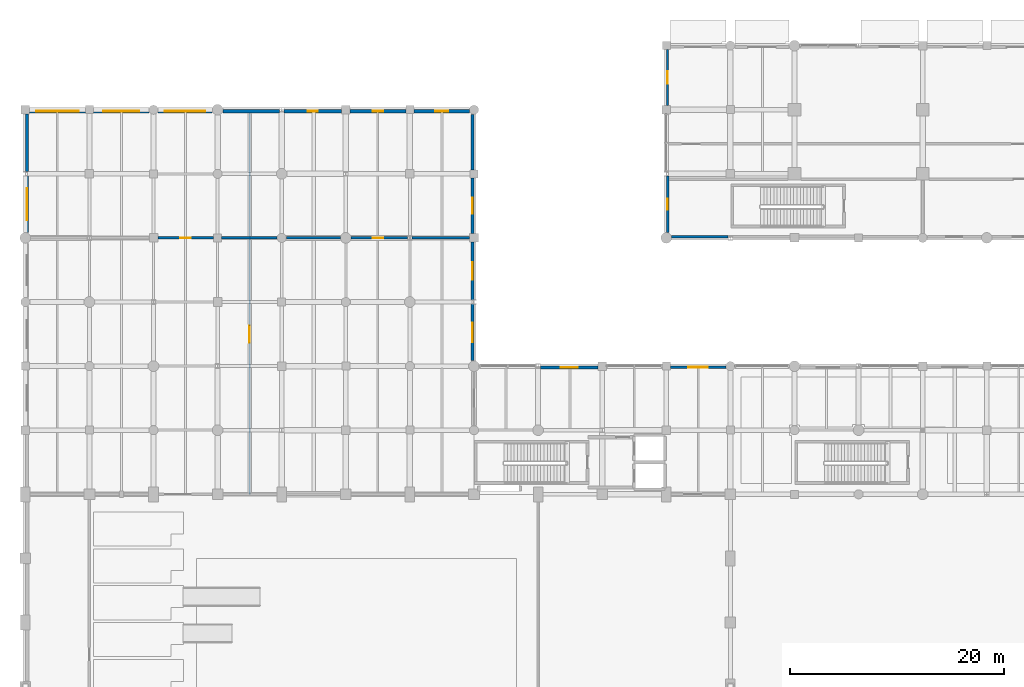
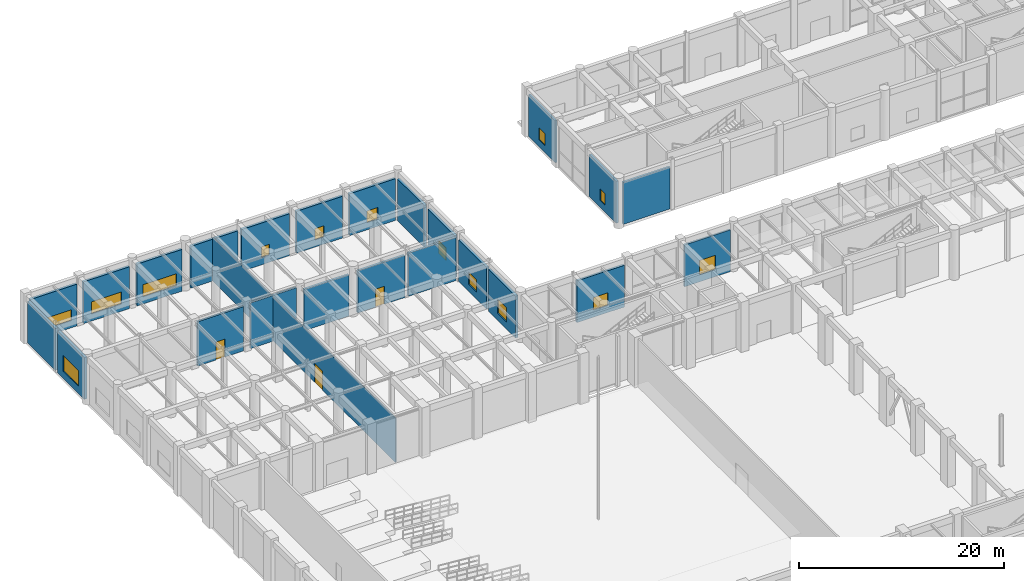
# One storey, part 82 of 106: 24 walls, 14 windows, 3 doors, 17 openings.
"""IFC4 building model written with IfcOpenShell, lengths in metres."""

from ifc_helpers import new_model, si_unit, direction, frame, frame_2d, origin, place, context, subcontext, project, spatial, rectangle, extrude, material, layer, layer_set, type_object, element, fill, save


model = new_model("IFC4")

# Units and contexts
model_context = context("Model", 3, precision=1e-05, world=origin(), true_north=direction((0.0, 1.0)))
body_context = subcontext(model_context, "Body", "Model", "MODEL_VIEW")
ifc_project = project(units=[si_unit("LENGTHUNIT", "METRE"), si_unit("AREAUNIT", "SQUARE_METRE"), si_unit("VOLUMEUNIT", "CUBIC_METRE"), si_unit("PLANEANGLEUNIT", "RADIAN"), si_unit("MASSUNIT", "GRAM", prefix="KILO"), si_unit("THERMODYNAMICTEMPERATUREUNIT", "KELVIN"), si_unit("POWERUNIT", "WATT")], contexts=[model_context])

# Site, building, storey
site_placement = place(None, origin())
site = spatial("IfcSite", under=ifc_project, at=site_placement, CompositionType="ELEMENT")
building_placement = place(site_placement, origin())
building = spatial("IfcBuilding", under=site, at=building_placement, Name="Phaisarnlok Congress Hotel", CompositionType="ELEMENT")
storey_placement = place(building_placement, origin())
storey = spatial("IfcBuildingStorey", under=building, at=storey_placement, Name="L00", CompositionType="ELEMENT", Elevation=0.0)

# Wall, opening, window
ifc_material_1 = material(Name="Concrete C40/50", Category="concrete")
ifc_layer_1 = layer(ifc_material_1, 0.2099609375, Name="Concrete C40/50")
ifc_layer_set_1 = layer_set([ifc_layer_1], Name="Concrete C40/50")
wall_type_1 = type_object("IfcWallType", Name="WL-EXT-210", PredefinedType="SOLIDWALL", material=ifc_layer_set_1)
wall_1_placement = place(storey_placement, frame((60.10498046875, 125.6201171875, 0.0), z_axis=(0.0, 0.0, 1.0), x_axis=(0.0, -1.0, 0.0)))
wall_1 = element("IfcWall", 1, at=wall_1_placement, inside=storey, type_object=wall_type_1, Name="Exterior wall EW-07 (L00)", PredefinedType="SOLIDWALL", context=body_context, shape_type="SweptSolid", body=[
    extrude(rectangle(XDim=5.215087890625, YDim=0.2099609375, at=frame_2d((2.607421875, 0.0))), origin(), (0.0, 0.0, 1.0), 5.010009765625),
])
opening_1_placement = place(wall_1_placement, frame((2.008056640625, 0.0, 0.85009765625)))
opening_1 = element("IfcOpeningElement", 2, at=opening_1_placement, cuts=wall_1, Name="Opening W-14", PredefinedType="OPENING", context=body_context, shape_type="SweptSolid", body=[
    extrude(rectangle(XDim=1.199951171875, YDim=1.39990234375, at=frame_2d((0.60009765625, 0.699951171875))), frame((0.0, 0.114990234375, 0.0), z_axis=(0.0, -1.0, 0.0), x_axis=(1.0, 0.0, 0.0)), (0.0, 0.0, 1.0), 0.22998046875),
])
ifc_material_2 = material(Name="Thermally Broken Aluminium & Low-E Double Glazing", Category="aluminium")
window_type_1 = type_object("IfcWindowType", Name="WIN-POD-1200", PartitioningType="SINGLE_PANEL", PredefinedType="WINDOW", material=ifc_material_2)
window_1_placement = place(opening_1_placement, origin())
window_1 = element("IfcWindow", 3, at=window_1_placement, inside=storey, type_object=window_type_1, Name="Podium window W-14 (L00)", OverallHeight=1.39990234375, OverallWidth=1.199951171875, PartitioningType="SINGLE_PANEL", PredefinedType="WINDOW", context=body_context, shape_type="SweptSolid", body=[
    extrude(rectangle(XDim=1.199951171875, YDim=1.39990234375, at=frame_2d((0.60009765625, 0.699951171875))), frame((0.0, 0.030029296875, 0.0), z_axis=(0.0, -1.0, 0.0), x_axis=(1.0, 0.0, 0.0)), (0.0, 0.0, 1.0), 0.06005859375),
])
fill(opening_1, window_1)

wall_2_placement = place(storey_placement, frame((65.570068359375, 95.89501953125, 0.0), z_axis=(0.0, 0.0, 1.0), x_axis=(-1.0, 0.0, 0.0)))
wall_2 = element("IfcWall", 4, at=wall_2_placement, inside=storey, type_object=wall_type_1, Name="Exterior wall EW-07 (L00)", PredefinedType="SOLIDWALL", context=body_context, shape_type="SweptSolid", body=[
    extrude(rectangle(XDim=5.190185546875, YDim=0.2099609375, at=frame_2d((2.59521484375, 0.0))), origin(), (0.0, 0.0, 1.0), 4.989990234375),
])
opening_2_placement = place(wall_2_placement, frame((1.695068359375, 0.0, 0.85009765625)))
opening_2 = element("IfcOpeningElement", 5, at=opening_2_placement, cuts=wall_2, Name="Opening W-10", PredefinedType="OPENING", context=body_context, shape_type="SweptSolid", body=[
    extrude(rectangle(XDim=1.800048828125, YDim=1.699951171875, at=frame_2d((0.89990234375, 0.85009765625))), frame((0.0, 0.114990234375, 0.0), z_axis=(0.0, -1.0, 0.0), x_axis=(1.0, 0.0, 0.0)), (0.0, 0.0, 1.0), 0.22998046875),
])
window_type_2 = type_object("IfcWindowType", Name="WIN-POD-1800", PartitioningType="SINGLE_PANEL", PredefinedType="WINDOW", material=ifc_material_2)
window_2_placement = place(opening_2_placement, origin())
window_2 = element("IfcWindow", 6, at=window_2_placement, inside=storey, type_object=window_type_2, Name="Podium window W-10 (L00)", OverallHeight=1.699951171875, OverallWidth=1.800048828125, PartitioningType="SINGLE_PANEL", PredefinedType="WINDOW", context=body_context, shape_type="SweptSolid", body=[
    extrude(rectangle(XDim=1.800048828125, YDim=1.699951171875, at=frame_2d((0.89990234375, 0.85009765625))), frame((0.0, 0.030029296875, 0.0), z_axis=(0.0, -1.0, 0.0), x_axis=(1.0, 0.0, 0.0)), (0.0, 0.0, 1.0), 0.06005859375),
])
fill(opening_2, window_2)

# Wall
ifc_layer_2 = layer(ifc_material_1, 0.22998046875, Name="Concrete C40/50")
ifc_layer_set_2 = layer_set([ifc_layer_2], Name="Concrete C40/50")
wall_type_2 = type_object("IfcWallType", Name="WL-EXT-230", PredefinedType="SOLIDWALL", material=ifc_layer_set_2)
wall_3_placement = place(storey_placement, frame((60.5048828125, 108.114990234375, 0.0), z_axis=(0.0, 0.0, 1.0), x_axis=(1.0, 0.0, 0.0)))
element("IfcWall", 7, at=wall_3_placement, inside=storey, type_object=wall_type_2, Name="Exterior wall EW-06 (L00)", PredefinedType="SOLIDWALL", context=body_context, shape_type="SweptSolid", body=[
    extrude(rectangle(XDim=5.28955078125, YDim=0.22998046875, at=frame_2d((2.644775390625, 0.0))), origin(), (0.0, 0.0, 1.0), 5.010009765625),
])

# Wall, opening, window
ifc_layer_3 = layer(ifc_material_1, 0.25, Name="Concrete C40/50")
ifc_layer_set_3 = layer_set([ifc_layer_3], Name="Concrete C40/50")
wall_type_3 = type_object("IfcWallType", Name="WL-EXT-250", PredefinedType="SOLIDWALL", material=ifc_layer_set_3)
wall_4_placement = place(storey_placement, frame((60.125, 113.79541015625, 0.0), z_axis=(0.0, 0.0, 1.0), x_axis=(0.0, -1.0, 0.0)))
wall_4 = element("IfcWall", 8, at=wall_4_placement, inside=storey, type_object=wall_type_3, Name="Exterior wall EW-05 (L00)", PredefinedType="SOLIDWALL", context=body_context, shape_type="SweptSolid", body=[
    extrude(rectangle(XDim=5.29052734375, YDim=0.25, at=frame_2d((2.645263671875, 0.0))), origin(), (0.0, 0.0, 1.0), 5.010009765625),
])
opening_3_placement = place(wall_4_placement, frame((2.14501953125, 0.0, 0.85009765625)))
opening_3 = element("IfcOpeningElement", 9, at=opening_3_placement, cuts=wall_4, Name="Opening W-15", PredefinedType="OPENING", context=body_context, shape_type="SweptSolid", body=[
    extrude(rectangle(XDim=1.0, YDim=1.35009765625, at=frame_2d((0.5, 0.675048828125))), frame((0.0, 0.135009765625, 0.0), z_axis=(0.0, -1.0, 0.0), x_axis=(1.0, 0.0, 0.0)), (0.0, 0.0, 1.0), 0.27001953125),
])
window_type_3 = type_object("IfcWindowType", Name="WIN-POD-1000", PartitioningType="SINGLE_PANEL", PredefinedType="WINDOW", material=ifc_material_2)
window_3_placement = place(opening_3_placement, origin())
window_3 = element("IfcWindow", 10, at=window_3_placement, inside=storey, type_object=window_type_3, Name="Podium window W-15 (L00)", OverallHeight=1.35009765625, OverallWidth=1.0, PartitioningType="SINGLE_PANEL", PredefinedType="WINDOW", context=body_context, shape_type="SweptSolid", body=[
    extrude(rectangle(XDim=1.0, YDim=1.35009765625, at=frame_2d((0.5, 0.675048828125))), frame((0.0, 0.030029296875, 0.0), z_axis=(0.0, -1.0, 0.0), x_axis=(1.0, 0.0, 0.0)), (0.0, 0.0, 1.0), 0.06005859375),
])
fill(opening_3, window_3)

wall_5_placement = place(storey_placement, frame((53.594970703125, 95.875, 0.0), z_axis=(0.0, 0.0, 1.0), x_axis=(-1.0, 0.0, 0.0)))
wall_5 = element("IfcWall", 11, at=wall_5_placement, inside=storey, type_object=wall_type_3, Name="Exterior wall EW-05 (L00)", PredefinedType="SOLIDWALL", context=body_context, shape_type="SweptSolid", body=[
    extrude(rectangle(XDim=5.389404296875, YDim=0.25, at=frame_2d((2.69482421875, 0.0))), origin(), (0.0, 0.0, 1.0), 4.989990234375),
])
opening_4_placement = place(wall_5_placement, frame((1.89501953125, 0.0, 0.85009765625)))
opening_4 = element("IfcOpeningElement", 12, at=opening_4_placement, cuts=wall_5, Name="Opening W-11", PredefinedType="OPENING", context=body_context, shape_type="SweptSolid", body=[
    extrude(rectangle(XDim=1.60009765625, YDim=1.5, at=frame_2d((0.800048828125, 0.75))), frame((0.0, 0.135009765625, 0.0), z_axis=(0.0, -1.0, 0.0), x_axis=(1.0, 0.0, 0.0)), (0.0, 0.0, 1.0), 0.27001953125),
])
window_type_4 = type_object("IfcWindowType", Name="WIN-POD-1600", PartitioningType="SINGLE_PANEL", PredefinedType="WINDOW", material=ifc_material_2)
window_4_placement = place(opening_4_placement, origin())
window_4 = element("IfcWindow", 13, at=window_4_placement, inside=storey, type_object=window_type_4, Name="Podium window W-11 (L00)", OverallHeight=1.5, OverallWidth=1.60009765625, PartitioningType="SINGLE_PANEL", PredefinedType="WINDOW", context=body_context, shape_type="SweptSolid", body=[
    extrude(rectangle(XDim=1.60009765625, YDim=1.5, at=frame_2d((0.800048828125, 0.75))), frame((0.0, 0.030029296875, 0.0), z_axis=(0.0, -1.0, 0.0), x_axis=(1.0, 0.0, 0.0)), (0.0, 0.0, 1.0), 0.06005859375),
])
fill(opening_4, window_4)

ifc_layer_4 = layer(ifc_material_1, 0.2900390625, Name="Concrete C40/50")
ifc_layer_set_4 = layer_set([ifc_layer_4], Name="Concrete C40/50")
wall_type_4 = type_object("IfcWallType", Name="WL-EXT-290", PredefinedType="SOLIDWALL", material=ifc_layer_set_4)
wall_6_placement = place(storey_placement, frame((41.85498046875, 96.5048828125, 0.0), z_axis=(0.0, 0.0, 1.0), x_axis=(0.0, 1.0, 0.0)))
wall_6 = element("IfcWall", 14, at=wall_6_placement, inside=storey, type_object=wall_type_4, Name="Exterior wall EW-03 (L00)", PredefinedType="SOLIDWALL", context=body_context, shape_type="SweptSolid", body=[
    extrude(rectangle(XDim=5.29052734375, YDim=0.2900390625, at=frame_2d((2.645263671875, 0.0))), origin(), (0.0, 0.0, 1.0), 4.989990234375),
])
opening_5_placement = place(wall_6_placement, frame((1.7451171875, 0.0, 0.85009765625)))
opening_5 = element("IfcOpeningElement", 15, at=opening_5_placement, cuts=wall_6, Name="Opening W-10", PredefinedType="OPENING", context=body_context, shape_type="SweptSolid", body=[
    extrude(rectangle(XDim=1.800048828125, YDim=1.699951171875, at=frame_2d((0.89990234375, 0.85009765625))), frame((0.0, 0.155029296875, 0.0), z_axis=(0.0, -1.0, 0.0), x_axis=(1.0, 0.0, 0.0)), (0.0, 0.0, 1.0), 0.31005859375),
])
window_5_placement = place(opening_5_placement, origin())
window_5 = element("IfcWindow", 16, at=window_5_placement, inside=storey, type_object=window_type_2, Name="Podium window W-10 (L00)", OverallHeight=1.699951171875, OverallWidth=1.800048828125, PartitioningType="SINGLE_PANEL", PredefinedType="WINDOW", context=body_context, shape_type="SweptSolid", body=[
    extrude(rectangle(XDim=1.800048828125, YDim=1.699951171875, at=frame_2d((0.89990234375, 0.85009765625))), frame((0.0, 0.030029296875, 0.0), z_axis=(0.0, -1.0, 0.0), x_axis=(1.0, 0.0, 0.0)), (0.0, 0.0, 1.0), 0.06005859375),
])
fill(opening_5, window_5)

wall_7_placement = place(storey_placement, frame((41.85498046875, 102.20458984375, 0.0), z_axis=(0.0, 0.0, 1.0), x_axis=(0.0, 1.0, 0.0)))
wall_7 = element("IfcWall", 17, at=wall_7_placement, inside=storey, type_object=wall_type_4, Name="Exterior wall EW-03 (L00)", PredefinedType="SOLIDWALL", context=body_context, shape_type="SweptSolid", body=[
    extrude(rectangle(XDim=5.390380859375, YDim=0.2900390625, at=frame_2d((2.6953125, 0.0))), origin(), (0.0, 0.0, 1.0), 4.989990234375),
])
opening_6_placement = place(wall_7_placement, frame((1.89501953125, 0.0, 0.85009765625)))
opening_6 = element("IfcOpeningElement", 18, at=opening_6_placement, cuts=wall_7, Name="Opening W-11", PredefinedType="OPENING", context=body_context, shape_type="SweptSolid", body=[
    extrude(rectangle(XDim=1.60009765625, YDim=1.5, at=frame_2d((0.800048828125, 0.75))), frame((0.0, 0.155029296875, 0.0), z_axis=(0.0, -1.0, 0.0), x_axis=(1.0, 0.0, 0.0)), (0.0, 0.0, 1.0), 0.31005859375),
])
window_6_placement = place(opening_6_placement, origin())
window_6 = element("IfcWindow", 19, at=window_6_placement, inside=storey, type_object=window_type_4, Name="Podium window W-11 (L00)", OverallHeight=1.5, OverallWidth=1.60009765625, PartitioningType="SINGLE_PANEL", PredefinedType="WINDOW", context=body_context, shape_type="SweptSolid", body=[
    extrude(rectangle(XDim=1.60009765625, YDim=1.5, at=frame_2d((0.800048828125, 0.75))), frame((0.0, 0.030029296875, 0.0), z_axis=(0.0, -1.0, 0.0), x_axis=(1.0, 0.0, 0.0)), (0.0, 0.0, 1.0), 0.06005859375),
])
fill(opening_6, window_6)

wall_8_placement = place(storey_placement, frame((41.85498046875, 108.405029296875, 0.0), z_axis=(0.0, 0.0, 1.0), x_axis=(0.0, 1.0, 0.0)))
wall_8 = element("IfcWall", 20, at=wall_8_placement, inside=storey, type_object=wall_type_4, Name="Exterior wall EW-03 (L00)", PredefinedType="SOLIDWALL", context=body_context, shape_type="SweptSolid", body=[
    extrude(rectangle(XDim=5.215087890625, YDim=0.2900390625, at=frame_2d((2.607421875, 0.0))), origin(), (0.0, 0.0, 1.0), 4.989990234375),
])
opening_7_placement = place(wall_8_placement, frame((1.85791015625, 0.0, 0.85009765625)))
opening_7 = element("IfcOpeningElement", 21, at=opening_7_placement, cuts=wall_8, Name="Opening W-12", PredefinedType="OPENING", context=body_context, shape_type="SweptSolid", body=[
    extrude(rectangle(XDim=1.5, YDim=1.5, at=frame_2d((0.75, 0.75))), frame((0.0, 0.155029296875, 0.0), z_axis=(0.0, -1.0, 0.0), x_axis=(1.0, 0.0, 0.0)), (0.0, 0.0, 1.0), 0.31005859375),
])
window_type_5 = type_object("IfcWindowType", Name="WIN-POD-1500", PartitioningType="SINGLE_PANEL", PredefinedType="WINDOW", material=ifc_material_2)
window_7_placement = place(opening_7_placement, origin())
window_7 = element("IfcWindow", 22, at=window_7_placement, inside=storey, type_object=window_type_5, Name="Podium window W-12 (L00)", OverallHeight=1.5, OverallWidth=1.5, PartitioningType="SINGLE_PANEL", PredefinedType="WINDOW", context=body_context, shape_type="SweptSolid", body=[
    extrude(rectangle(XDim=1.5, YDim=1.5, at=frame_2d((0.75, 0.75))), frame((0.0, 0.030029296875, 0.0), z_axis=(0.0, -1.0, 0.0), x_axis=(1.0, 0.0, 0.0)), (0.0, 0.0, 1.0), 0.06005859375),
])
fill(opening_7, window_7)

# Wall
wall_9_placement = place(storey_placement, frame((41.85498046875, 114.3798828125, 0.0), z_axis=(0.0, 0.0, 1.0), x_axis=(0.0, 1.0, 0.0)))
element("IfcWall", 23, at=wall_9_placement, inside=storey, type_object=wall_type_4, Name="Exterior wall EW-03 (L00)", PredefinedType="SOLIDWALL", context=body_context, shape_type="SweptSolid", body=[
    extrude(rectangle(XDim=5.190185546875, YDim=0.2900390625, at=frame_2d((2.59521484375, 0.0))), origin(), (0.0, 0.0, 1.0), 4.989990234375),
])

# Wall, opening, window
wall_10_placement = place(storey_placement, frame((41.570068359375, 119.85498046875, 0.0), z_axis=(0.0, 0.0, 1.0), x_axis=(-1.0, 0.0, 0.0)))
wall_10 = element("IfcWall", 24, at=wall_10_placement, inside=storey, type_object=wall_type_4, Name="Exterior wall EW-03 (L00)", PredefinedType="SOLIDWALL", context=body_context, shape_type="SweptSolid", body=[
    extrude(rectangle(XDim=5.190185546875, YDim=0.2900390625, at=frame_2d((2.59521484375, 0.0))), origin(), (0.0, 0.0, 1.0), 4.989990234375),
])
opening_8_placement = place(wall_10_placement, frame((1.9951171875, 0.0, 0.85009765625)))
opening_8 = element("IfcOpeningElement", 25, at=opening_8_placement, cuts=wall_10, Name="Opening W-14", PredefinedType="OPENING", context=body_context, shape_type="SweptSolid", body=[
    extrude(rectangle(XDim=1.199951171875, YDim=1.39990234375, at=frame_2d((0.60009765625, 0.699951171875))), frame((0.0, 0.155029296875, 0.0), z_axis=(0.0, -1.0, 0.0), x_axis=(1.0, 0.0, 0.0)), (0.0, 0.0, 1.0), 0.31005859375),
])
window_8_placement = place(opening_8_placement, origin())
window_8 = element("IfcWindow", 26, at=window_8_placement, inside=storey, type_object=window_type_1, Name="Podium window W-14 (L00)", OverallHeight=1.39990234375, OverallWidth=1.199951171875, PartitioningType="SINGLE_PANEL", PredefinedType="WINDOW", context=body_context, shape_type="SweptSolid", body=[
    extrude(rectangle(XDim=1.199951171875, YDim=1.39990234375, at=frame_2d((0.60009765625, 0.699951171875))), frame((0.0, 0.030029296875, 0.0), z_axis=(0.0, -1.0, 0.0), x_axis=(1.0, 0.0, 0.0)), (0.0, 0.0, 1.0), 0.06005859375),
])
fill(opening_8, window_8)

wall_11_placement = place(storey_placement, frame((35.6201171875, 119.85498046875, 0.0), z_axis=(0.0, 0.0, 1.0), x_axis=(-1.0, 0.0, 0.0)))
wall_11 = element("IfcWall", 27, at=wall_11_placement, inside=storey, type_object=wall_type_4, Name="Exterior wall EW-03 (L00)", PredefinedType="SOLIDWALL", context=body_context, shape_type="SweptSolid", body=[
    extrude(rectangle(XDim=5.215087890625, YDim=0.2900390625, at=frame_2d((2.607421875, 0.0))), origin(), (0.0, 0.0, 1.0), 4.989990234375),
])
opening_9_placement = place(wall_11_placement, frame((2.10693359375, 0.0, 0.85009765625)))
opening_9 = element("IfcOpeningElement", 28, at=opening_9_placement, cuts=wall_11, Name="Opening W-15", PredefinedType="OPENING", context=body_context, shape_type="SweptSolid", body=[
    extrude(rectangle(XDim=1.0, YDim=1.35009765625, at=frame_2d((0.5, 0.675048828125))), frame((0.0, 0.155029296875, 0.0), z_axis=(0.0, -1.0, 0.0), x_axis=(1.0, 0.0, 0.0)), (0.0, 0.0, 1.0), 0.31005859375),
])
window_9_placement = place(opening_9_placement, origin())
window_9 = element("IfcWindow", 29, at=window_9_placement, inside=storey, type_object=window_type_3, Name="Podium window W-15 (L00)", OverallHeight=1.35009765625, OverallWidth=1.0, PartitioningType="SINGLE_PANEL", PredefinedType="WINDOW", context=body_context, shape_type="SweptSolid", body=[
    extrude(rectangle(XDim=1.0, YDim=1.35009765625, at=frame_2d((0.5, 0.675048828125))), frame((0.0, 0.030029296875, 0.0), z_axis=(0.0, -1.0, 0.0), x_axis=(1.0, 0.0, 0.0)), (0.0, 0.0, 1.0), 0.06005859375),
])
fill(opening_9, window_9)

wall_12_placement = place(storey_placement, frame((29.594970703125, 119.85498046875, 0.0), z_axis=(0.0, 0.0, 1.0), x_axis=(-1.0, 0.0, 0.0)))
wall_12 = element("IfcWall", 30, at=wall_12_placement, inside=storey, type_object=wall_type_4, Name="Exterior wall EW-03 (L00)", PredefinedType="SOLIDWALL", context=body_context, shape_type="SweptSolid", body=[
    extrude(rectangle(XDim=5.389404296875, YDim=0.2900390625, at=frame_2d((2.69482421875, 0.0))), origin(), (0.0, 0.0, 1.0), 4.989990234375),
])
opening_10_placement = place(wall_12_placement, frame((2.2451171875, 0.0, 0.85009765625)))
opening_10 = element("IfcOpeningElement", 31, at=opening_10_placement, cuts=wall_12, Name="Opening W-16", PredefinedType="OPENING", context=body_context, shape_type="SweptSolid", body=[
    extrude(rectangle(XDim=0.89990234375, YDim=1.300048828125, at=frame_2d((0.449951171875, 0.64990234375))), frame((0.0, 0.155029296875, 0.0), z_axis=(0.0, -1.0, 0.0), x_axis=(1.0, 0.0, 0.0)), (0.0, 0.0, 1.0), 0.31005859375),
])
window_type_6 = type_object("IfcWindowType", Name="WIN-POD-0900", PartitioningType="SINGLE_PANEL", PredefinedType="WINDOW", material=ifc_material_2)
window_10_placement = place(opening_10_placement, origin())
window_10 = element("IfcWindow", 32, at=window_10_placement, inside=storey, type_object=window_type_6, Name="Podium window W-16 (L00)", OverallHeight=1.300048828125, OverallWidth=0.89990234375, PartitioningType="SINGLE_PANEL", PredefinedType="WINDOW", context=body_context, shape_type="SweptSolid", body=[
    extrude(rectangle(XDim=0.89990234375, YDim=1.300048828125, at=frame_2d((0.449951171875, 0.64990234375))), frame((0.0, 0.030029296875, 0.0), z_axis=(0.0, -1.0, 0.0), x_axis=(1.0, 0.0, 0.0)), (0.0, 0.0, 1.0), 0.06005859375),
])
fill(opening_10, window_10)

# Wall
wall_13_placement = place(storey_placement, frame((23.79443359375, 119.85498046875, 0.0), z_axis=(0.0, 0.0, 1.0), x_axis=(-1.0, 0.0, 0.0)))
element("IfcWall", 33, at=wall_13_placement, inside=storey, type_object=wall_type_4, Name="Exterior wall EW-03 (L00)", PredefinedType="SOLIDWALL", context=body_context, shape_type="SweptSolid", body=[
    extrude(rectangle(XDim=5.28955078125, YDim=0.2900390625, at=frame_2d((2.644775390625, 0.0))), origin(), (0.0, 0.0, 1.0), 4.989990234375),
])

# Wall, opening, window
wall_14_placement = place(storey_placement, frame((17.4951171875, 119.85498046875, 0.0), z_axis=(0.0, 0.0, 1.0), x_axis=(-1.0, 0.0, 0.0)))
wall_14 = element("IfcWall", 34, at=wall_14_placement, inside=storey, type_object=wall_type_4, Name="Exterior wall EW-03 (L00)", PredefinedType="SOLIDWALL", context=body_context, shape_type="SweptSolid", body=[
    extrude(rectangle(XDim=5.065185546875, YDim=0.2900390625, at=frame_2d((2.53271484375, 0.0))), origin(), (0.0, 0.0, 1.0), 4.989990234375),
])
opening_11_placement = place(wall_14_placement, frame((0.633056640625, 0.0, 0.85009765625)))
opening_11 = element("IfcOpeningElement", 35, at=opening_11_placement, cuts=wall_14, Name="Opening W-17", PredefinedType="OPENING", context=body_context, shape_type="SweptSolid", body=[
    extrude(rectangle(XDim=3.800048828125, YDim=1.449951171875, at=frame_2d((1.89990234375, 0.72509765625))), frame((0.0, 0.155029296875, 0.0), z_axis=(0.0, -1.0, 0.0), x_axis=(1.0, 0.0, 0.0)), (0.0, 0.0, 1.0), 0.31005859375),
])
window_type_7 = type_object("IfcWindowType", Name="WIN-RIB-3800", PartitioningType="SINGLE_PANEL", PredefinedType="WINDOW", material=ifc_material_2)
window_11_placement = place(opening_11_placement, origin())
window_11 = element("IfcWindow", 36, at=window_11_placement, inside=storey, type_object=window_type_7, Name="Podium window W-17 (L00)", OverallHeight=1.449951171875, OverallWidth=3.800048828125, PartitioningType="SINGLE_PANEL", PredefinedType="WINDOW", context=body_context, shape_type="SweptSolid", body=[
    extrude(rectangle(XDim=3.800048828125, YDim=1.449951171875, at=frame_2d((1.89990234375, 0.72509765625))), frame((0.0, 0.030029296875, 0.0), z_axis=(0.0, -1.0, 0.0), x_axis=(1.0, 0.0, 0.0)), (0.0, 0.0, 1.0), 0.06005859375),
])
fill(opening_11, window_11)

wall_15_placement = place(storey_placement, frame((11.570068359375, 119.85498046875, 0.0), z_axis=(0.0, 0.0, 1.0), x_axis=(-1.0, 0.0, 0.0)))
wall_15 = element("IfcWall", 37, at=wall_15_placement, inside=storey, type_object=wall_type_4, Name="Exterior wall EW-03 (L00)", PredefinedType="SOLIDWALL", context=body_context, shape_type="SweptSolid", body=[
    extrude(rectangle(XDim=5.190185546875, YDim=0.2900390625, at=frame_2d((2.59521484375, 0.0))), origin(), (0.0, 0.0, 1.0), 4.989990234375),
])
opening_12_placement = place(wall_15_placement, frame((0.89501953125, 0.0, 0.85009765625)))
opening_12 = element("IfcOpeningElement", 38, at=opening_12_placement, cuts=wall_15, Name="Opening W-18", PredefinedType="OPENING", context=body_context, shape_type="SweptSolid", body=[
    extrude(rectangle(XDim=3.39990234375, YDim=1.449951171875, at=frame_2d((1.699951171875, 0.72509765625))), frame((0.0, 0.155029296875, 0.0), z_axis=(0.0, -1.0, 0.0), x_axis=(1.0, 0.0, 0.0)), (0.0, 0.0, 1.0), 0.31005859375),
])
window_type_8 = type_object("IfcWindowType", Name="WIN-RIB-3400", PartitioningType="SINGLE_PANEL", PredefinedType="WINDOW", material=ifc_material_2)
window_12_placement = place(opening_12_placement, origin())
window_12 = element("IfcWindow", 39, at=window_12_placement, inside=storey, type_object=window_type_8, Name="Podium window W-18 (L00)", OverallHeight=1.449951171875, OverallWidth=3.39990234375, PartitioningType="SINGLE_PANEL", PredefinedType="WINDOW", context=body_context, shape_type="SweptSolid", body=[
    extrude(rectangle(XDim=3.39990234375, YDim=1.449951171875, at=frame_2d((1.699951171875, 0.72509765625))), frame((0.0, 0.030029296875, 0.0), z_axis=(0.0, -1.0, 0.0), x_axis=(1.0, 0.0, 0.0)), (0.0, 0.0, 1.0), 0.06005859375),
])
fill(opening_12, window_12)

wall_16_placement = place(storey_placement, frame((5.6201171875, 119.85498046875, 0.0), z_axis=(0.0, 0.0, 1.0), x_axis=(-1.0, 0.0, 0.0)))
wall_16 = element("IfcWall", 40, at=wall_16_placement, inside=storey, type_object=wall_type_4, Name="Exterior wall EW-03 (L00)", PredefinedType="SOLIDWALL", context=body_context, shape_type="SweptSolid", body=[
    extrude(rectangle(XDim=5.215087890625, YDim=0.2900390625, at=frame_2d((2.607421875, 0.0))), origin(), (0.0, 0.0, 1.0), 4.989990234375),
])
opening_13_placement = place(wall_16_placement, frame((0.60693359375, 0.0, 0.85009765625)))
opening_13 = element("IfcOpeningElement", 41, at=opening_13_placement, cuts=wall_16, Name="Opening W-19", PredefinedType="OPENING", context=body_context, shape_type="SweptSolid", body=[
    extrude(rectangle(XDim=4.0, YDim=1.300048828125, at=frame_2d((2.0, 0.64990234375))), frame((0.0, 0.155029296875, 0.0), z_axis=(0.0, -1.0, 0.0), x_axis=(1.0, 0.0, 0.0)), (0.0, 0.0, 1.0), 0.31005859375),
])
window_type_9 = type_object("IfcWindowType", Name="WIN-CLER-4000", PartitioningType="SINGLE_PANEL", PredefinedType="WINDOW", material=ifc_material_2)
window_13_placement = place(opening_13_placement, origin())
window_13 = element("IfcWindow", 42, at=window_13_placement, inside=storey, type_object=window_type_9, Name="Podium window W-19 (L00)", OverallHeight=1.300048828125, OverallWidth=4.0, PartitioningType="SINGLE_PANEL", PredefinedType="WINDOW", context=body_context, shape_type="SweptSolid", body=[
    extrude(rectangle(XDim=4.0, YDim=1.300048828125, at=frame_2d((2.0, 0.64990234375))), frame((0.0, 0.030029296875, 0.0), z_axis=(0.0, -1.0, 0.0), x_axis=(1.0, 0.0, 0.0)), (0.0, 0.0, 1.0), 0.06005859375),
])
fill(opening_13, window_13)

# Wall
wall_17_placement = place(storey_placement, frame((0.14501953125, 119.594970703125, 0.0), z_axis=(0.0, 0.0, 1.0), x_axis=(0.0, -1.0, 0.0)))
element("IfcWall", 43, at=wall_17_placement, inside=storey, type_object=wall_type_4, Name="Exterior wall EW-03 (L00)", PredefinedType="SOLIDWALL", context=body_context, shape_type="SweptSolid", body=[
    extrude(rectangle(XDim=5.390380859375, YDim=0.2900390625, at=frame_2d((2.6953125, 0.0))), origin(), (0.0, 0.0, 1.0), 4.989990234375),
])

# Wall, opening, window
wall_18_placement = place(storey_placement, frame((0.14501953125, 113.79541015625, 0.0), z_axis=(0.0, 0.0, 1.0), x_axis=(0.0, -1.0, 0.0)))
wall_18 = element("IfcWall", 44, at=wall_18_placement, inside=storey, type_object=wall_type_4, Name="Exterior wall EW-03 (L00)", PredefinedType="SOLIDWALL", context=body_context, shape_type="SweptSolid", body=[
    extrude(rectangle(XDim=5.29052734375, YDim=0.2900390625, at=frame_2d((2.645263671875, 0.0))), origin(), (0.0, 0.0, 1.0), 4.989990234375),
])
opening_14_placement = place(wall_18_placement, frame((1.14501953125, 0.0, 0.85009765625)))
opening_14 = element("IfcOpeningElement", 45, at=opening_14_placement, cuts=wall_18, Name="Opening W-05", PredefinedType="OPENING", context=body_context, shape_type="SweptSolid", body=[
    extrude(rectangle(XDim=3.0, YDim=1.89990234375, at=frame_2d((1.5, 0.949951171875))), frame((0.0, 0.155029296875, 0.0), z_axis=(0.0, -1.0, 0.0), x_axis=(1.0, 0.0, 0.0)), (0.0, 0.0, 1.0), 0.31005859375),
])
window_type_10 = type_object("IfcWindowType", Name="WIN-POD-3000", PartitioningType="SINGLE_PANEL", PredefinedType="WINDOW", material=ifc_material_2)
window_14_placement = place(opening_14_placement, origin())
window_14 = element("IfcWindow", 46, at=window_14_placement, inside=storey, type_object=window_type_10, Name="Podium window W-05 (L00)", OverallHeight=1.89990234375, OverallWidth=3.0, PartitioningType="SINGLE_PANEL", PredefinedType="WINDOW", context=body_context, shape_type="SweptSolid", body=[
    extrude(rectangle(XDim=3.0, YDim=1.89990234375, at=frame_2d((1.5, 0.949951171875))), frame((0.0, 0.030029296875, 0.0), z_axis=(0.0, -1.0, 0.0), x_axis=(1.0, 0.0, 0.0)), (0.0, 0.0, 1.0), 0.06005859375),
])
fill(opening_14, window_14)

# Wall, opening, door
ifc_material_3 = material(Name="Lightweight Metal-Stud Gypsum Partition", Category="gypsum")
ifc_layer_5 = layer(ifc_material_3, 0.1201171875, Name="Lightweight Metal-Stud Gypsum Partition")
ifc_layer_set_5 = layer_set([ifc_layer_5], Name="Lightweight Metal-Stud Gypsum Partition")
wall_type_5 = type_object("IfcWallType", Name="WL-INT-120", PredefinedType="PARTITIONING", material=ifc_layer_set_5)
wall_19_placement = place(storey_placement, frame((21.0, 84.0, 0.0), z_axis=(0.0, 0.0, 1.0), x_axis=(0.0, 1.0, 0.0)))
wall_19 = element("IfcWall", 47, at=wall_19_placement, inside=storey, type_object=wall_type_5, Name="Interior partition wall IW-07 (L00)", PredefinedType="PARTITIONING", context=body_context, shape_type="SweptSolid", body=[
    extrude(rectangle(XDim=35.705078125, YDim=0.1201171875, at=frame_2d((17.8525390625, 0.0))), origin(), (0.0, 0.0, 1.0), 5.239990234375),
])
opening_15_placement = place(wall_19_placement, frame((14.199951171875, 0.0, 0.0)))
opening_15 = element("IfcOpeningElement", 48, at=opening_15_placement, cuts=wall_19, Name="Opening D-0034", PredefinedType="OPENING", context=body_context, shape_type="SweptSolid", body=[
    extrude(rectangle(XDim=1.60009765625, YDim=2.25, at=frame_2d((0.800048828125, 1.125))), frame((0.0, 0.070068359375, 0.0), z_axis=(0.0, -1.0, 0.0), x_axis=(1.0, 0.0, 0.0)), (0.0, 0.0, 1.0), 0.14013671875),
])
ifc_material_4 = material(Name="Frameless Tempered Acoustic Glass", Category="glass")
door_type_1 = type_object("IfcDoorType", Name="DR-GLZ-1600", OperationType="DOUBLE_DOOR_SINGLE_SWING", PredefinedType="DOOR", material=ifc_material_4)
door_1_placement = place(opening_15_placement, origin())
door_1 = element("IfcDoor", 49, at=door_1_placement, inside=storey, type_object=door_type_1, Name="Interior door D-0034 (L00)", OperationType="DOUBLE_DOOR_SINGLE_SWING", OverallHeight=2.25, OverallWidth=1.60009765625, PredefinedType="DOOR", context=body_context, shape_type="SweptSolid", body=[
    extrude(rectangle(XDim=1.60009765625, YDim=2.25, at=frame_2d((0.800048828125, 1.125))), frame((0.0, 0.02490234375, 0.0), z_axis=(0.0, -1.0, 0.0), x_axis=(1.0, 0.0, 0.0)), (0.0, 0.0, 1.0), 0.050048828125),
])
fill(opening_15, door_1)

ifc_layer_6 = layer(ifc_material_1, 0.239990234375, Name="Concrete C40/50")
ifc_layer_set_6 = layer_set([ifc_layer_6], Name="Concrete C40/50")
wall_type_6 = type_object("IfcWallType", Name="WL-INT-240", PredefinedType="PARTITIONING", material=ifc_layer_set_6)
wall_20_placement = place(storey_placement, frame((12.405029296875, 108.0, 0.0), z_axis=(0.0, 0.0, 1.0), x_axis=(1.0, 0.0, 0.0)))
wall_20 = element("IfcWall", 50, at=wall_20_placement, inside=storey, type_object=wall_type_6, Name="Interior partition wall IW-01 (L00)", PredefinedType="PARTITIONING", context=body_context, shape_type="SweptSolid", body=[
    extrude(rectangle(XDim=5.215087890625, YDim=0.239990234375, at=frame_2d((2.607421875, 0.0))), origin(), (0.0, 0.0, 1.0), 5.2900390625),
])
opening_16_placement = place(wall_20_placement, frame((2.094970703125, 0.0, 0.0)))
opening_16 = element("IfcOpeningElement", 51, at=opening_16_placement, cuts=wall_20, Name="Opening D-0035", PredefinedType="OPENING", context=body_context, shape_type="SweptSolid", body=[
    extrude(rectangle(XDim=1.0, YDim=2.14990234375, at=frame_2d((0.5, 1.074951171875))), frame((0.0, 0.1298828125, 0.0), z_axis=(0.0, -1.0, 0.0), x_axis=(1.0, 0.0, 0.0)), (0.0, 0.0, 1.0), 0.260009765625),
])
ifc_material_5 = material(Name="Solid-Core Oak Veneer", Category="wood")
door_type_2 = type_object("IfcDoorType", Name="DR-INT-1000", OperationType="NOTDEFINED", PredefinedType="DOOR", material=ifc_material_5)
door_2_placement = place(opening_16_placement, origin())
door_2 = element("IfcDoor", 52, at=door_2_placement, inside=storey, type_object=door_type_2, Name="Interior door D-0035 (L00)", OperationType="SINGLE_SWING_RIGHT", OverallHeight=2.14990234375, OverallWidth=1.0, PredefinedType="DOOR", context=body_context, shape_type="SweptSolid", body=[
    extrude(rectangle(XDim=1.0, YDim=2.14990234375, at=frame_2d((0.5, 1.074951171875))), frame((0.0, 0.02490234375, 0.0), z_axis=(0.0, -1.0, 0.0), x_axis=(1.0, 0.0, 0.0)), (0.0, 0.0, 1.0), 0.050048828125),
])
fill(opening_16, door_2)

# Walls
wall_21_placement = place(storey_placement, frame((18.3798828125, 108.0, 0.0), z_axis=(0.0, 0.0, 1.0), x_axis=(1.0, 0.0, 0.0)))
element("IfcWall", 53, at=wall_21_placement, inside=storey, type_object=wall_type_6, Name="Interior partition wall IW-01 (L00)", PredefinedType="PARTITIONING", context=body_context, shape_type="SweptSolid", body=[
    extrude(rectangle(XDim=5.190185546875, YDim=0.239990234375, at=frame_2d((2.59521484375, 0.0))), origin(), (0.0, 0.0, 1.0), 5.449951171875),
])
wall_22_placement = place(storey_placement, frame((24.429931640625, 108.0, 0.0), z_axis=(0.0, 0.0, 1.0), x_axis=(1.0, 0.0, 0.0)))
element("IfcWall", 54, at=wall_22_placement, inside=storey, type_object=wall_type_6, Name="Interior partition wall IW-01 (L00)", PredefinedType="PARTITIONING", context=body_context, shape_type="SweptSolid", body=[
    extrude(rectangle(XDim=5.065185546875, YDim=0.239990234375, at=frame_2d((2.53271484375, 0.0))), origin(), (0.0, 0.0, 1.0), 4.93994140625),
])

# Wall, opening, door
wall_23_placement = place(storey_placement, frame((30.5048828125, 108.0, 0.0), z_axis=(0.0, 0.0, 1.0), x_axis=(1.0, 0.0, 0.0)))
wall_23 = element("IfcWall", 55, at=wall_23_placement, inside=storey, type_object=wall_type_6, Name="Interior partition wall IW-01 (L00)", PredefinedType="PARTITIONING", context=body_context, shape_type="SweptSolid", body=[
    extrude(rectangle(XDim=5.28955078125, YDim=0.239990234375, at=frame_2d((2.644775390625, 0.0))), origin(), (0.0, 0.0, 1.0), 5.0400390625),
])
opening_17_placement = place(wall_23_placement, frame((1.9951171875, 0.0, 0.0)))
opening_17 = element("IfcOpeningElement", 56, at=opening_17_placement, cuts=wall_23, Name="Opening D-0036", PredefinedType="OPENING", context=body_context, shape_type="SweptSolid", body=[
    extrude(rectangle(XDim=1.0, YDim=2.14990234375, at=frame_2d((0.5, 1.074951171875))), frame((0.0, 0.1298828125, 0.0), z_axis=(0.0, -1.0, 0.0), x_axis=(1.0, 0.0, 0.0)), (0.0, 0.0, 1.0), 0.260009765625),
])
door_3_placement = place(opening_17_placement, origin())
door_3 = element("IfcDoor", 57, at=door_3_placement, inside=storey, type_object=door_type_2, Name="Interior door D-0036 (L00)", OperationType="SINGLE_SWING_LEFT", OverallHeight=2.14990234375, OverallWidth=1.0, PredefinedType="DOOR", context=body_context, shape_type="SweptSolid", body=[
    extrude(rectangle(XDim=1.0, YDim=2.14990234375, at=frame_2d((0.5, 1.074951171875))), frame((0.0, 0.02490234375, 0.0), z_axis=(0.0, -1.0, 0.0), x_axis=(1.0, 0.0, 0.0)), (0.0, 0.0, 1.0), 0.050048828125),
])
fill(opening_17, door_3)

# Wall
wall_24_placement = place(storey_placement, frame((36.20556640625, 108.0, 0.0), z_axis=(0.0, 0.0, 1.0), x_axis=(1.0, 0.0, 0.0)))
element("IfcWall", 58, at=wall_24_placement, inside=storey, type_object=wall_type_6, Name="Interior partition wall IW-01 (L00)", PredefinedType="PARTITIONING", context=body_context, shape_type="SweptSolid", body=[
    extrude(rectangle(XDim=5.389404296875, YDim=0.239990234375, at=frame_2d((2.69482421875, 0.0))), origin(), (0.0, 0.0, 1.0), 5.139892578125),
])

save(model, "model.ifc")
